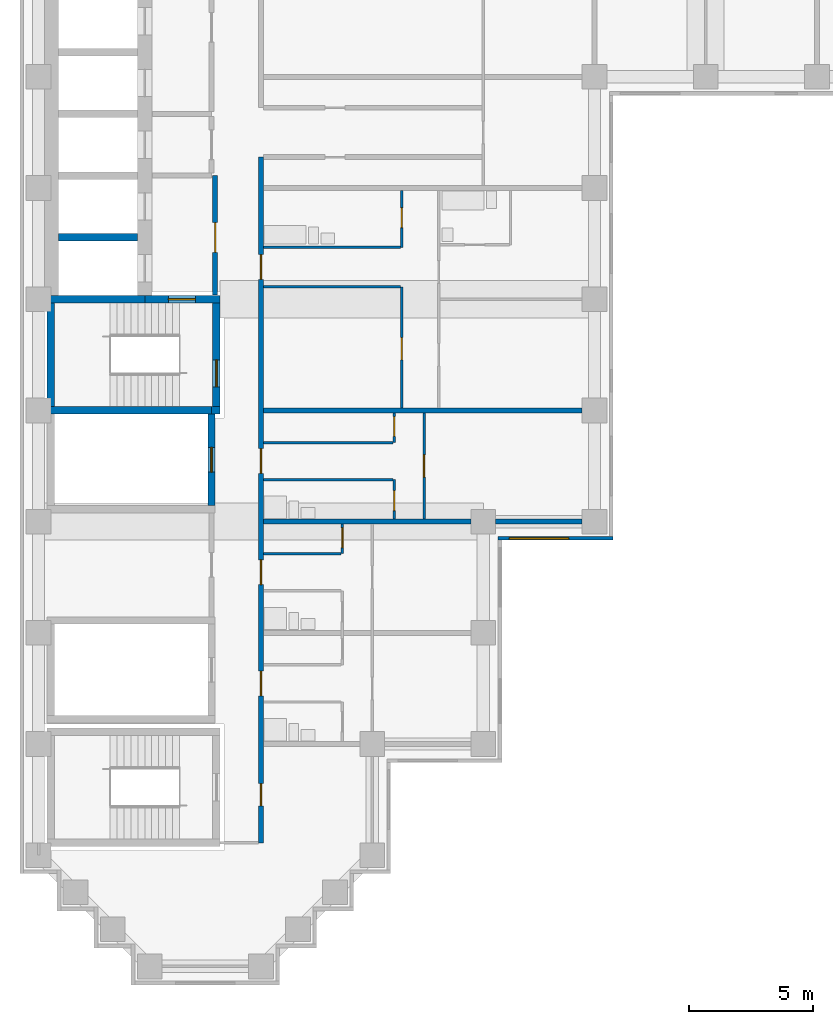
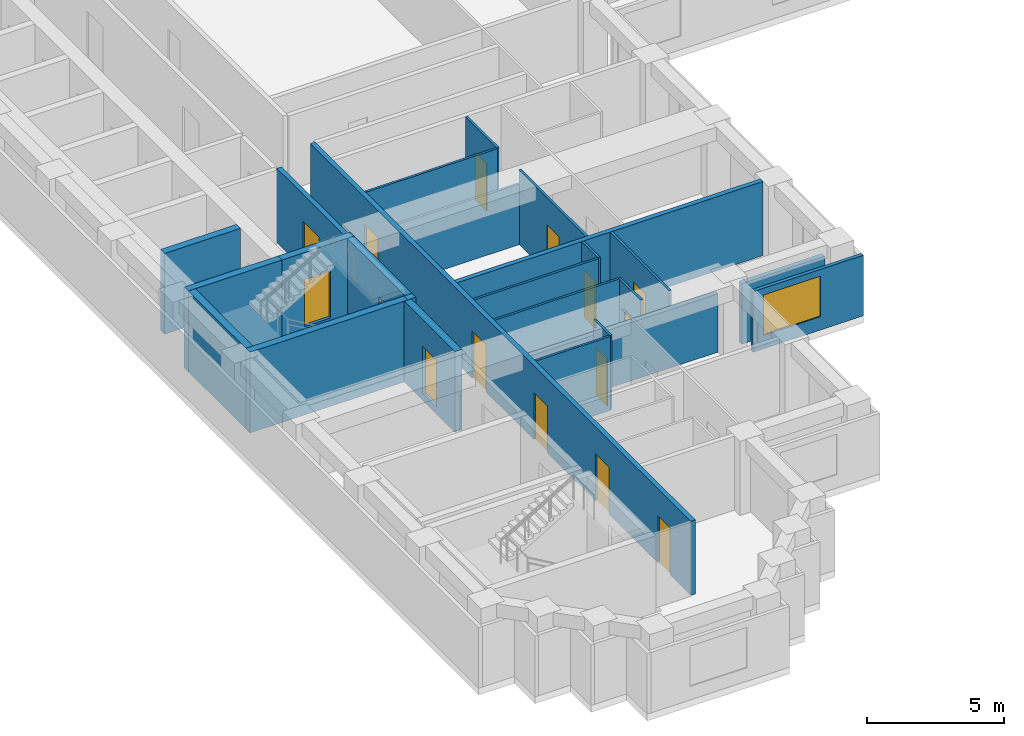
# One storey, part 3 of 12: 25 walls, 15 doors, 1 window, 16 openings.
"""IFC4 building model written with IfcOpenShell, lengths in metres."""

import ifcopenshell
import ifcopenshell.guid

model = None  # the IFC model being written
_history = None  # IfcOwnerHistory: only IFC2X3 demands one
_inside = {}  # id of a spatial element -> (the spatial element, [elements in it])
_under = {}  # id of a project, library or spatial element -> (it, [spatial elements below it])
_declared = {}  # id of a project -> (the project, [libraries it declares])
_typed = {}  # id of a type object -> (the type object, [elements of that type])
_made_of = {}  # id of a material, layer set ... -> (it, [elements and type objects made of it])


def new_model(schema):
    """Start an empty IFC model of exactly this schema.

    Asked for "IFC4X3", IfcOpenShell would pick the latest addendum, in which some entities
    have other attributes; the version numbers below select the first issue.
    IFC2X3 requires an IfcOwnerHistory on every rooted entity: one is made here for all.
    """
    global model, _history
    if schema == "IFC4X3":
        model = ifcopenshell.file(schema_version=(4, 3, 0, 0))
    else:
        model = ifcopenshell.file(schema=schema)
    _inside.clear()
    _under.clear()
    _declared.clear()
    _typed.clear()
    _made_of.clear()
    _history = None
    if model.schema == "IFC2X3":
        org = make("IfcOrganization", Name="unknown")
        user = make(
            "IfcPersonAndOrganization",
            ThePerson=make("IfcPerson", FamilyName="unknown"),
            TheOrganization=org,
        )
        app = make(
            "IfcApplication",
            ApplicationDeveloper=org,
            Version="unknown",
            ApplicationFullName="unknown",
            ApplicationIdentifier="unknown",
        )
        _history = make(
            "IfcOwnerHistory",
            OwningUser=user,
            OwningApplication=app,
            ChangeAction="ADDED",
            CreationDate=0,
        )
    return model


def make(cls, **values):
    """One entity of the class cls with the attributes given. An attribute that is None is left unset."""
    return model.create_entity(
        cls, **{name: value for name, value in values.items() if value is not None}
    )


def rooted(cls, **values):
    """An entity with a GlobalId (a new one), such as an element, a storey or a relation."""
    return make(cls, GlobalId=ifcopenshell.guid.new(), OwnerHistory=_history, **values)


def si_unit(unit_type, name, prefix=None):
    """IfcSIUnit, for example si_unit("LENGTHUNIT", "METRE", prefix="MILLI")."""
    return make("IfcSIUnit", UnitType=unit_type, Prefix=prefix, Name=name)


def assignment(units):
    """IfcUnitAssignment: the units of a project."""
    return None if units is None else make("IfcUnitAssignment", Units=units)


def point(xyz):
    """IfcCartesianPoint."""
    return None if xyz is None else make("IfcCartesianPoint", Coordinates=xyz)


def direction(xyz):
    """IfcDirection."""
    return None if xyz is None else make("IfcDirection", DirectionRatios=xyz)


def frame(location, z_axis=None, x_axis=None):
    """IfcAxis2Placement3D, a coordinate frame: its origin and axes. An axis left out is left unset."""
    return make(
        "IfcAxis2Placement3D",
        Location=point(location),
        Axis=direction(z_axis),
        RefDirection=direction(x_axis),
    )


def frame_2d(location, x_axis=None):
    """IfcAxis2Placement2D, a coordinate frame in the plane: its origin and x axis."""
    return make(
        "IfcAxis2Placement2D", Location=point(location), RefDirection=direction(x_axis)
    )


def origin():
    """The frame at (0, 0, 0) with its axes left unset."""
    return frame((0.0, 0.0, 0.0))


def place(relative_to, where):
    """IfcLocalPlacement: puts the frame where relative to a parent placement (None: the world)."""
    return make(
        "IfcLocalPlacement", PlacementRelTo=relative_to, RelativePlacement=where
    )


def context(
    kind, dimensions, precision=None, world=None, true_north=None, identifier=None
):
    """IfcGeometricRepresentationContext, for example the 3D "Model" context."""
    return make(
        "IfcGeometricRepresentationContext",
        ContextIdentifier=identifier,
        ContextType=kind,
        CoordinateSpaceDimension=dimensions,
        Precision=precision,
        WorldCoordinateSystem=world,
        TrueNorth=true_north,
    )


def subcontext(parent, identifier, kind, view, scale=None):
    """IfcGeometricRepresentationSubContext, for example "Body" below "Model"."""
    return make(
        "IfcGeometricRepresentationSubContext",
        ContextIdentifier=identifier,
        ContextType=kind,
        ParentContext=parent,
        TargetScale=scale,
        TargetView=view,
    )


def project(units=None, contexts=None):
    """IfcProject with its units and contexts."""
    return rooted(
        "IfcProject",
        Name="project",
        RepresentationContexts=contexts,
        UnitsInContext=assignment(units),
    )


def spatial(cls, under=None, at=None, **own):
    """A site, building, storey or space (cls), placed at a placement, below another one or the project."""
    s = rooted(cls, ObjectPlacement=at, **own)
    if under is not None:
        _under.setdefault(under.id(), (under, []))[1].append(s)
    return s


def profile(cls, at=None, kind="AREA", **sizes):
    """A parametric profile (cls). Its sizes go by their IFC names, for example OverallWidth=200.0."""
    return make(cls, ProfileType=kind, Position=at, **sizes)


def rectangle(**sizes):
    """IfcRectangleProfileDef."""
    return profile("IfcRectangleProfileDef", **sizes)


def extrude(swept, where, along, depth):
    """IfcExtrudedAreaSolid: the profile swept, set in the frame where, extruded along a direction by depth."""
    return make(
        "IfcExtrudedAreaSolid",
        SweptArea=swept,
        Position=where,
        ExtrudedDirection=direction(along),
        Depth=depth,
    )


def shape(context_of_items, identifier, shape_type, items):
    """IfcShapeRepresentation: the items that make up one representation, for example the "Body"."""
    return make(
        "IfcShapeRepresentation",
        ContextOfItems=context_of_items,
        RepresentationIdentifier=identifier,
        RepresentationType=shape_type,
        Items=items,
    )


def material(Name=None, Category=None):
    """IfcMaterial."""
    return make("IfcMaterial", Name=Name, Category=Category)


def layer(
    of_material, thickness, ventilated=None, Name=None, Category=None, Priority=None
):
    """IfcMaterialLayer: one layer of a wall or slab, of a material (None: an air gap)."""
    return make(
        "IfcMaterialLayer",
        Material=of_material,
        LayerThickness=thickness,
        IsVentilated=ventilated,
        Name=Name,
        Category=Category,
        Priority=Priority,
    )


def layer_set(layers, Name=None):
    """IfcMaterialLayerSet."""
    return make("IfcMaterialLayerSet", MaterialLayers=layers, LayerSetName=Name)


def made_of(thing, what):
    """Note that an element or type object is made of a material, layer set ...; save() writes the relation."""
    if what is not None:
        _made_of.setdefault(what.id(), (what, []))[1].append(thing)
    return thing


def type_object(cls, material=None, **own):
    """A type object (cls), such as IfcWallType, which elements share."""
    return made_of(rooted(cls, **own), material)


def element(
    cls,
    number,
    at=None,
    inside=None,
    cuts=None,
    type_object=None,
    material=None,
    context=None,
    identifier="Body",
    shape_type=None,
    held_by="IfcProductDefinitionShape",
    body=None,
    shapes=None,
    **own,
):
    """One element of the class cls, such as IfcWall. Its Tag is "e" and its number.

    at: its placement. inside: the storey or other place that contains it. cuts: it is an
    opening in that element (IfcRelVoidsElement). A single representation is given by context,
    identifier, shape_type and body (its items); several are given by shapes. held_by: the class
    of the entity that holds the representations. save() writes the other relations.
    """
    e = rooted(cls, Tag="e%d" % number, ObjectPlacement=at, **own)
    if body is not None:
        shapes = [shape(context, identifier, shape_type, body)]
    if shapes is not None:
        e.Representation = make(held_by, Representations=shapes)
    if inside is not None:
        _inside.setdefault(inside.id(), (inside, []))[1].append(e)
    if cuts is not None:
        rooted(
            "IfcRelVoidsElement", RelatingBuildingElement=cuts, RelatedOpeningElement=e
        )
    if type_object is not None:
        _typed.setdefault(type_object.id(), (type_object, []))[1].append(e)
    return made_of(e, material)


def fill(opening, filler):
    """IfcRelFillsElement: the door or window that sits in an opening."""
    return rooted(
        "IfcRelFillsElement",
        RelatingOpeningElement=opening,
        RelatedBuildingElement=filler,
    )


def aggregate(whole, parts):
    """IfcRelAggregates: a whole, such as a stair, and the parts it consists of."""
    return rooted("IfcRelAggregates", RelatingObject=whole, RelatedObjects=parts)


def save(model, path):
    """Write the relations noted so far, then the file.

    IfcRelAggregates (storeys below a building ...), IfcRelContainedInSpatialStructure (elements
    in a storey), IfcRelDefinesByType, IfcRelAssociatesMaterial and IfcRelDeclares: one each for
    every whole, place, type object, material and project.
    """
    for whole, parts in _under.values():
        aggregate(whole, parts)
    for where, things in _inside.values():
        rooted(
            "IfcRelContainedInSpatialStructure",
            RelatedElements=things,
            RelatingStructure=where,
        )
    for kind, things in _typed.values():
        rooted("IfcRelDefinesByType", RelatedObjects=things, RelatingType=kind)
    for what, things in _made_of.values():
        rooted("IfcRelAssociatesMaterial", RelatedObjects=things, RelatingMaterial=what)
    for by, libraries in _declared.values():
        rooted("IfcRelDeclares", RelatingContext=by, RelatedDefinitions=libraries)
    model.write(path)


model = new_model("IFC4")

# Units and contexts
model_context = context("Model", 3, precision=1e-05, world=origin(), true_north=direction((0.0, 1.0)))
body_context = subcontext(model_context, "Body", "Model", "MODEL_VIEW")
ifc_project = project(units=[si_unit("LENGTHUNIT", "METRE"), si_unit("AREAUNIT", "SQUARE_METRE"), si_unit("VOLUMEUNIT", "CUBIC_METRE"), si_unit("PLANEANGLEUNIT", "RADIAN"), si_unit("MASSUNIT", "GRAM", prefix="KILO")], contexts=[model_context])

# Site, building, storey
site_placement = place(None, origin())
site = spatial("IfcSite", under=ifc_project, at=site_placement, CompositionType="ELEMENT")
building_placement = place(site_placement, origin())
building = spatial("IfcBuilding", under=site, at=building_placement, Name="Firuza Court", CompositionType="ELEMENT")
storey_placement = place(building_placement, frame((0.0, 0.0, 148.39990234375)))
storey = spatial("IfcBuildingStorey", under=building, at=storey_placement, Name="L37", CompositionType="ELEMENT", Elevation=148.39990234375)

# Walls
ifc_material_1 = material(Name="Moisture-resistant gypsum board partition")
ifc_layer_1 = layer(ifc_material_1, 0.10009765625)
ifc_layer_set_1 = layer_set([ifc_layer_1], Name="Moisture-resistant gypsum board partition")
wall_type_1 = type_object("IfcWallType", Name="Bathroom partition 100", PredefinedType="PLUMBINGWALL", material=ifc_layer_set_1)
wall_1_placement = place(storey_placement, frame((9.10009765625, 19.699951171875, 0.0), z_axis=(0.0, 0.0, 1.0), x_axis=(1.0, 0.0, 0.0)))
element("IfcWall", 1, at=wall_1_placement, inside=storey, type_object=wall_type_1, Name="Bathroom partition 100 L37", PredefinedType="PLUMBINGWALL", context=body_context, shape_type="SweptSolid", body=[
    extrude(rectangle(XDim=5.25, YDim=0.10009765625, at=frame_2d((2.625, 0.0))), origin(), (0.0, 0.0, 1.0), 3.300048828125),
])
wall_2_placement = place(storey_placement, frame((9.10009765625, 29.10009765625, 0.0), z_axis=(0.0, 0.0, 1.0), x_axis=(1.0, 0.0, 0.0)))
element("IfcWall", 2, at=wall_2_placement, inside=storey, type_object=wall_type_1, Name="Bathroom partition 100 L37", PredefinedType="PLUMBINGWALL", context=body_context, shape_type="SweptSolid", body=[
    extrude(rectangle(XDim=5.5498046875, YDim=0.10009765625, at=frame_2d((2.77490234375, 0.0))), origin(), (0.0, 0.0, 1.0), 3.300048828125),
])
ifc_material_2 = material(Name="Concrete C60/75", Category="concrete")
ifc_layer_2 = layer(ifc_material_2, 0.300048828125)
ifc_layer_set_2 = layer_set([ifc_layer_2], Name="Concrete C60/75")
wall_type_2 = type_object("IfcWallType", Name="Core wall 300 C60/75", PredefinedType="SHEAR", material=ifc_layer_set_2)
wall_3_placement = place(storey_placement, frame((0.35009765625, 22.5, -0.2998046875), z_axis=(0.0, 0.0, 1.0), x_axis=(1.0, 0.0, 0.0)))
element("IfcWall", 3, at=wall_3_placement, inside=storey, type_object=wall_type_2, Name="Core wall riser L37", PredefinedType="SHEAR", context=body_context, shape_type="SweptSolid", body=[
    extrude(rectangle(XDim=6.64990234375, YDim=0.300048828125, at=frame_2d((3.324951171875, 0.0))), origin(), (0.0, 0.0, 1.0), 3.599853515625),
])
wall_4_placement = place(storey_placement, frame((0.35009765625, 27.0, -0.2998046875), z_axis=(0.0, 0.0, 1.0), x_axis=(1.0, 0.0, 0.0)))
element("IfcWall", 4, at=wall_4_placement, inside=storey, type_object=wall_type_2, Name="Core wall lift shaft L37", PredefinedType="SHEAR", context=body_context, shape_type="SweptSolid", body=[
    extrude(rectangle(XDim=3.949951171875, YDim=0.300048828125, at=frame_2d((1.97509765625, 0.0))), origin(), (0.0, 0.0, 1.0), 3.599853515625),
])
wall_5_placement = place(storey_placement, frame((0.5, 22.64990234375, -0.2998046875), z_axis=(0.0, 0.0, 1.0), x_axis=(0.0, 1.0, 0.0)))
element("IfcWall", 5, at=wall_5_placement, inside=storey, type_object=wall_type_2, Name="Core wall stair L37", PredefinedType="SHEAR", context=body_context, shape_type="SweptSolid", body=[
    extrude(rectangle(XDim=4.2001953125, YDim=0.300048828125, at=frame_2d((2.10009765625, 0.0))), origin(), (0.0, 0.0, 1.0), 3.599853515625),
])
wall_6_placement = place(storey_placement, frame((0.800048828125, 29.5, -0.2998046875), z_axis=(0.0, 0.0, 1.0), x_axis=(1.0, 0.0, 0.0)))
element("IfcWall", 6, at=wall_6_placement, inside=storey, type_object=wall_type_2, Name="Core wall lift shaft L37", PredefinedType="SHEAR", context=body_context, shape_type="SweptSolid", body=[
    extrude(rectangle(XDim=3.199951171875, YDim=0.300048828125, at=frame_2d((1.60009765625, 0.0))), origin(), (0.0, 0.0, 1.0), 3.599853515625),
])

# Wall, opening, door
wall_7_placement = place(storey_placement, frame((4.300048828125, 27.0, -0.2998046875), z_axis=(0.0, 0.0, 1.0), x_axis=(1.0, 0.0, 0.0)))
wall_7 = element("IfcWall", 7, at=wall_7_placement, inside=storey, type_object=wall_type_2, Name="Core wall stair L37", PredefinedType="SHEAR", context=body_context, shape_type="SweptSolid", body=[
    extrude(rectangle(XDim=3.050048828125, YDim=0.300048828125, at=frame_2d((1.52490234375, 0.0))), origin(), (0.0, 0.0, 1.0), 3.599853515625),
])
opening_1_placement = place(wall_7_placement, frame((0.949951171875, 0.0, 0.300048828125)))
opening_1 = element("IfcOpeningElement", 8, at=opening_1_placement, cuts=wall_7, Name="Opening D37013", PredefinedType="OPENING", context=body_context, shape_type="SweptSolid", body=[
    extrude(rectangle(XDim=1.10009765625, YDim=2.10009765625, at=frame_2d((0.550048828125, 1.050048828125))), frame((0.0, 0.162109375, 0.0), z_axis=(0.0, -1.0, 0.0), x_axis=(1.0, 0.0, 0.0)), (0.0, 0.0, 1.0), 0.323974609375),
])
ifc_material_3 = material(Name="Timber door leaf in hardwood frame", Category="wood")
door_type_1 = type_object("IfcDoorType", Name="Stair door 1100", OperationType="SINGLE_SWING_LEFT", PredefinedType="DOOR", material=ifc_material_3)
door_1_placement = place(opening_1_placement, frame((1.10009765625, 0.0, 0.0), z_axis=(0.0, 0.0, 1.0), x_axis=(-1.0, 0.0, 0.0)))
door_1 = element("IfcDoor", 9, at=door_1_placement, inside=storey, type_object=door_type_1, Name="Fire-fighting lobby door", OperationType="SINGLE_SWING_LEFT", OverallHeight=2.10009765625, OverallWidth=1.10009765625, PredefinedType="DOOR", context=body_context, shape_type="SweptSolid", body=[
    extrude(rectangle(XDim=1.10009765625, YDim=2.10009765625, at=frame_2d((0.550048828125, 1.050048828125))), frame((0.0, 0.02490234375, 0.0), z_axis=(0.0, -1.0, 0.0), x_axis=(1.0, 0.0, 0.0)), (0.0, 0.0, 1.0), 0.050048828125),
])
fill(opening_1, door_1)

wall_8_placement = place(storey_placement, frame((7.0, 18.64990234375, -0.2998046875), z_axis=(0.0, 0.0, 1.0), x_axis=(0.0, 1.0, 0.0)))
wall_8 = element("IfcWall", 10, at=wall_8_placement, inside=storey, type_object=wall_type_2, Name="Core wall riser L37", PredefinedType="SHEAR", context=body_context, shape_type="SweptSolid", body=[
    extrude(rectangle(XDim=3.7001953125, YDim=0.300048828125, at=frame_2d((1.85009765625, 0.0))), origin(), (0.0, 0.0, 1.0), 3.599853515625),
])
opening_2_placement = place(wall_8_placement, frame((1.35009765625, 0.0, 0.300048828125)))
opening_2 = element("IfcOpeningElement", 11, at=opening_2_placement, cuts=wall_8, Name="Opening D37009", PredefinedType="OPENING", context=body_context, shape_type="SweptSolid", body=[
    extrude(rectangle(XDim=1.0, YDim=2.10009765625, at=frame_2d((0.5, 1.050048828125))), frame((0.0, 0.162109375, 0.0), z_axis=(0.0, -1.0, 0.0), x_axis=(1.0, 0.0, 0.0)), (0.0, 0.0, 1.0), 0.323974609375),
])
ifc_material_4 = material(Name="Timber door leaf in hardwood frame", Category="wood")
door_type_2 = type_object("IfcDoorType", Name="Riser door 1000", OperationType="SINGLE_SWING_LEFT", PredefinedType="DOOR", material=ifc_material_4)
door_2_placement = place(opening_2_placement, origin())
door_2 = element("IfcDoor", 12, at=door_2_placement, inside=storey, type_object=door_type_2, Name="Riser door R1", OperationType="SINGLE_SWING_LEFT", OverallHeight=2.10009765625, OverallWidth=1.0, PredefinedType="DOOR", context=body_context, shape_type="SweptSolid", body=[
    extrude(rectangle(XDim=1.0, YDim=2.10009765625, at=frame_2d((0.5, 1.050048828125))), frame((0.0, 0.02490234375, 0.0), z_axis=(0.0, -1.0, 0.0), x_axis=(1.0, 0.0, 0.0)), (0.0, 0.0, 1.0), 0.050048828125),
])
fill(opening_2, door_2)

# Wall
wall_9_placement = place(storey_placement, frame((7.0, 22.5, -0.2998046875), z_axis=(0.0, 0.0, 1.0), x_axis=(1.0, 0.0, 0.0)))
element("IfcWall", 13, at=wall_9_placement, inside=storey, type_object=wall_type_2, Name="Core wall stair L37", PredefinedType="SHEAR", context=body_context, shape_type="SweptSolid", body=[
    extrude(rectangle(XDim=0.35009765625, YDim=0.300048828125, at=frame_2d((0.175048828125, 0.0))), origin(), (0.0, 0.0, 1.0), 3.599853515625),
])

# Wall, opening, door
wall_10_placement = place(storey_placement, frame((7.199951171875, 22.64990234375, -0.2998046875), z_axis=(0.0, 0.0, 1.0), x_axis=(0.0, 1.0, 0.0)))
wall_10 = element("IfcWall", 14, at=wall_10_placement, inside=storey, type_object=wall_type_2, Name="Core wall stair L37", PredefinedType="SHEAR", context=body_context, shape_type="SweptSolid", body=[
    extrude(rectangle(XDim=4.2001953125, YDim=0.300048828125, at=frame_2d((2.10009765625, 0.0))), origin(), (0.0, 0.0, 1.0), 3.599853515625),
])
opening_3_placement = place(wall_10_placement, frame((0.800048828125, 0.0, 0.300048828125)))
opening_3 = element("IfcOpeningElement", 15, at=opening_3_placement, cuts=wall_10, Name="Opening D37014", PredefinedType="OPENING", context=body_context, shape_type="SweptSolid", body=[
    extrude(rectangle(XDim=1.10009765625, YDim=2.10009765625, at=frame_2d((0.550048828125, 1.050048828125))), frame((0.0, 0.162109375, 0.0), z_axis=(0.0, -1.0, 0.0), x_axis=(1.0, 0.0, 0.0)), (0.0, 0.0, 1.0), 0.323974609375),
])
door_3_placement = place(opening_3_placement, origin())
door_3 = element("IfcDoor", 16, at=door_3_placement, inside=storey, type_object=door_type_1, Name="Stair door S2", OperationType="SINGLE_SWING_LEFT", OverallHeight=2.10009765625, OverallWidth=1.10009765625, PredefinedType="DOOR", context=body_context, shape_type="SweptSolid", body=[
    extrude(rectangle(XDim=1.10009765625, YDim=2.10009765625, at=frame_2d((0.550048828125, 1.050048828125))), frame((0.0, 0.02490234375, 0.0), z_axis=(0.0, -1.0, 0.0), x_axis=(1.0, 0.0, 0.0)), (0.0, 0.0, 1.0), 0.050048828125),
])
fill(opening_3, door_3)

# Wall, openings, doors
ifc_material_5 = material(Name="Blockwork, plastered both sides", Category="masonry")
ifc_layer_3 = layer(ifc_material_5, 0.199951171875)
ifc_layer_set_3 = layer_set([ifc_layer_3], Name="Blockwork, plastered both sides")
wall_type_3 = type_object("IfcWallType", Name="Corridor wall 200", PredefinedType="PARTITIONING", material=ifc_layer_set_3)
wall_11_placement = place(storey_placement, frame((9.0, 5.0, 0.0), z_axis=(0.0, 0.0, 1.0), x_axis=(0.0, 1.0, 0.0)))
wall_11 = element("IfcWall", 17, at=wall_11_placement, inside=storey, type_object=wall_type_3, Name="Corridor wall 200 L37", PredefinedType="PARTITIONING", context=body_context, shape_type="SweptSolid", body=[
    extrude(rectangle(XDim=27.75, YDim=0.199951171875, at=frame_2d((13.875, 0.0))), origin(), (0.0, 0.0, 1.0), 3.300048828125),
])
opening_4_placement = place(wall_11_placement, frame((22.800048828125, 0.0, 0.0)))
opening_4 = element("IfcOpeningElement", 18, at=opening_4_placement, cuts=wall_11, Name="Opening D37018", PredefinedType="OPENING", context=body_context, shape_type="SweptSolid", body=[
    extrude(rectangle(XDim=1.0, YDim=2.10009765625, at=frame_2d((0.5, 1.050048828125))), frame((0.0, 0.11181640625, 0.0), z_axis=(0.0, -1.0, 0.0), x_axis=(1.0, 0.0, 0.0)), (0.0, 0.0, 1.0), 0.223876953125),
])
opening_5_placement = place(wall_11_placement, frame((14.949951171875, 0.0, 0.0)))
opening_5 = element("IfcOpeningElement", 19, at=opening_5_placement, cuts=wall_11, Name="Opening D37019", PredefinedType="OPENING", context=body_context, shape_type="SweptSolid", body=[
    extrude(rectangle(XDim=1.0, YDim=2.10009765625, at=frame_2d((0.5, 1.050048828125))), frame((0.0, 0.11181640625, 0.0), z_axis=(0.0, -1.0, 0.0), x_axis=(1.0, 0.0, 0.0)), (0.0, 0.0, 1.0), 0.223876953125),
])
opening_6_placement = place(wall_11_placement, frame((10.449951171875, 0.0, 0.0)))
opening_6 = element("IfcOpeningElement", 20, at=opening_6_placement, cuts=wall_11, Name="Opening D37020", PredefinedType="OPENING", context=body_context, shape_type="SweptSolid", body=[
    extrude(rectangle(XDim=1.0, YDim=2.10009765625, at=frame_2d((0.5, 1.050048828125))), frame((0.0, 0.11181640625, 0.0), z_axis=(0.0, -1.0, 0.0), x_axis=(1.0, 0.0, 0.0)), (0.0, 0.0, 1.0), 0.223876953125),
])
opening_7_placement = place(wall_11_placement, frame((5.949951171875, 0.0, 0.0)))
opening_7 = element("IfcOpeningElement", 21, at=opening_7_placement, cuts=wall_11, Name="Opening D37021", PredefinedType="OPENING", context=body_context, shape_type="SweptSolid", body=[
    extrude(rectangle(XDim=1.0, YDim=2.10009765625, at=frame_2d((0.5, 1.050048828125))), frame((0.0, 0.11181640625, 0.0), z_axis=(0.0, -1.0, 0.0), x_axis=(1.0, 0.0, 0.0)), (0.0, 0.0, 1.0), 0.223876953125),
])
opening_8_placement = place(wall_11_placement, frame((1.5, 0.0, 0.0)))
opening_8 = element("IfcOpeningElement", 22, at=opening_8_placement, cuts=wall_11, Name="Opening D37022", PredefinedType="OPENING", context=body_context, shape_type="SweptSolid", body=[
    extrude(rectangle(XDim=0.89990234375, YDim=2.10009765625, at=frame_2d((0.449951171875, 1.050048828125))), frame((0.0, 0.11181640625, 0.0), z_axis=(0.0, -1.0, 0.0), x_axis=(1.0, 0.0, 0.0)), (0.0, 0.0, 1.0), 0.223876953125),
])
ifc_material_6 = material(Name="Timber door leaf in hardwood frame", Category="wood")
door_type_3 = type_object("IfcDoorType", Name="Flat entrance door 1000", OperationType="SINGLE_SWING_LEFT", PredefinedType="DOOR", material=ifc_material_6)
door_4_placement = place(opening_4_placement, origin())
door_4 = element("IfcDoor", 23, at=door_4_placement, inside=storey, type_object=door_type_3, Name="Flat entrance door", OperationType="SINGLE_SWING_LEFT", OverallHeight=2.10009765625, OverallWidth=1.0, PredefinedType="DOOR", context=body_context, shape_type="SweptSolid", body=[
    extrude(rectangle(XDim=1.0, YDim=2.10009765625, at=frame_2d((0.5, 1.050048828125))), frame((0.0, 0.02490234375, 0.0), z_axis=(0.0, -1.0, 0.0), x_axis=(1.0, 0.0, 0.0)), (0.0, 0.0, 1.0), 0.050048828125),
])
fill(opening_4, door_4)
door_5_placement = place(opening_5_placement, origin())
door_5 = element("IfcDoor", 24, at=door_5_placement, inside=storey, type_object=door_type_3, Name="Flat entrance door", OperationType="SINGLE_SWING_LEFT", OverallHeight=2.10009765625, OverallWidth=1.0, PredefinedType="DOOR", context=body_context, shape_type="SweptSolid", body=[
    extrude(rectangle(XDim=1.0, YDim=2.10009765625, at=frame_2d((0.5, 1.050048828125))), frame((0.0, 0.02490234375, 0.0), z_axis=(0.0, -1.0, 0.0), x_axis=(1.0, 0.0, 0.0)), (0.0, 0.0, 1.0), 0.050048828125),
])
fill(opening_5, door_5)
door_6_placement = place(opening_6_placement, origin())
door_6 = element("IfcDoor", 25, at=door_6_placement, inside=storey, type_object=door_type_3, Name="Flat entrance door", OperationType="SINGLE_SWING_LEFT", OverallHeight=2.10009765625, OverallWidth=1.0, PredefinedType="DOOR", context=body_context, shape_type="SweptSolid", body=[
    extrude(rectangle(XDim=1.0, YDim=2.10009765625, at=frame_2d((0.5, 1.050048828125))), frame((0.0, 0.02490234375, 0.0), z_axis=(0.0, -1.0, 0.0), x_axis=(1.0, 0.0, 0.0)), (0.0, 0.0, 1.0), 0.050048828125),
])
fill(opening_6, door_6)
door_7_placement = place(opening_7_placement, origin())
door_7 = element("IfcDoor", 26, at=door_7_placement, inside=storey, type_object=door_type_3, Name="Flat entrance door", OperationType="SINGLE_SWING_LEFT", OverallHeight=2.10009765625, OverallWidth=1.0, PredefinedType="DOOR", context=body_context, shape_type="SweptSolid", body=[
    extrude(rectangle(XDim=1.0, YDim=2.10009765625, at=frame_2d((0.5, 1.050048828125))), frame((0.0, 0.02490234375, 0.0), z_axis=(0.0, -1.0, 0.0), x_axis=(1.0, 0.0, 0.0)), (0.0, 0.0, 1.0), 0.050048828125),
])
fill(opening_7, door_7)
ifc_material_7 = material(Name="Timber door leaf in hardwood frame", Category="wood")
door_type_4 = type_object("IfcDoorType", Name="Room door 900 EI 30", OperationType="SINGLE_SWING_LEFT", PredefinedType="DOOR", material=ifc_material_7)
door_8_placement = place(opening_8_placement, frame((0.89990234375, 0.0, 0.0), z_axis=(0.0, 0.0, 1.0), x_axis=(-1.0, 0.0, 0.0)))
door_8 = element("IfcDoor", 27, at=door_8_placement, inside=storey, type_object=door_type_4, Name="Games room door", OperationType="SINGLE_SWING_LEFT", OverallHeight=2.10009765625, OverallWidth=0.89990234375, PredefinedType="DOOR", context=body_context, shape_type="SweptSolid", body=[
    extrude(rectangle(XDim=0.89990234375, YDim=2.10009765625, at=frame_2d((0.449951171875, 1.050048828125))), frame((0.0, 0.02490234375, 0.0), z_axis=(0.0, -1.0, 0.0), x_axis=(1.0, 0.0, 0.0)), (0.0, 0.0, 1.0), 0.050048828125),
])
fill(opening_8, door_8)

# Wall
ifc_material_8 = material(Name="Timber stud partition, plasterboard both sides", Category="wood")
ifc_layer_4 = layer(ifc_material_8, 0.10009765625)
ifc_layer_set_4 = layer_set([ifc_layer_4], Name="Timber stud partition, plasterboard both sides")
wall_type_4 = type_object("IfcWallType", Name="Partition wall 100", PredefinedType="PARTITIONING", material=ifc_layer_set_4)
wall_12_placement = place(storey_placement, frame((9.10009765625, 16.699951171875, 0.0), z_axis=(0.0, 0.0, 1.0), x_axis=(1.0, 0.0, 0.0)))
element("IfcWall", 28, at=wall_12_placement, inside=storey, type_object=wall_type_4, Name="Partition wall 100 L37", PredefinedType="PARTITIONING", context=body_context, shape_type="SweptSolid", body=[
    extrude(rectangle(XDim=3.14990234375, YDim=0.10009765625, at=frame_2d((1.574951171875, 0.0))), origin(), (0.0, 0.0, 1.0), 3.300048828125),
])

# Wall, opening, door
wall_13_placement = place(storey_placement, frame((12.300048828125, 16.699951171875, 0.0), z_axis=(0.0, 0.0, 1.0), x_axis=(0.0, 1.0, 0.0)))
wall_13 = element("IfcWall", 29, at=wall_13_placement, inside=storey, type_object=wall_type_4, Name="Partition wall 100 L37", PredefinedType="PARTITIONING", context=body_context, shape_type="SweptSolid", body=[
    extrude(rectangle(XDim=1.199951171875, YDim=0.10009765625, at=frame_2d((0.60009765625, 0.0))), origin(), (0.0, 0.0, 1.0), 3.300048828125),
])
opening_9_placement = place(wall_13_placement, frame((0.25, 0.0, 0.0)))
opening_9 = element("IfcOpeningElement", 30, at=opening_9_placement, cuts=wall_13, Name="Opening D37029", PredefinedType="OPENING", context=body_context, shape_type="SweptSolid", body=[
    extrude(rectangle(XDim=0.800048828125, YDim=2.10009765625, at=frame_2d((0.39990234375, 1.050048828125))), frame((0.0, 0.06201171875, 0.0), z_axis=(0.0, -1.0, 0.0), x_axis=(1.0, 0.0, 0.0)), (0.0, 0.0, 1.0), 0.1240234375),
])
ifc_material_9 = material(Name="Timber door leaf in hardwood frame", Category="wood")
door_type_5 = type_object("IfcDoorType", Name="Room door 800", OperationType="SINGLE_SWING_LEFT", PredefinedType="DOOR", material=ifc_material_9)
door_9_placement = place(opening_9_placement, origin())
door_9 = element("IfcDoor", 31, at=door_9_placement, inside=storey, type_object=door_type_5, Name="Kitchen door", OperationType="SINGLE_SWING_LEFT", OverallHeight=2.10009765625, OverallWidth=0.800048828125, PredefinedType="DOOR", context=body_context, shape_type="SweptSolid", body=[
    extrude(rectangle(XDim=0.800048828125, YDim=2.10009765625, at=frame_2d((0.39990234375, 1.050048828125))), frame((0.0, 0.02490234375, 0.0), z_axis=(0.0, -1.0, 0.0), x_axis=(1.0, 0.0, 0.0)), (0.0, 0.0, 1.0), 0.050048828125),
])
fill(opening_9, door_9)

wall_14_placement = place(storey_placement, frame((14.39990234375, 18.10009765625, 0.0), z_axis=(0.0, 0.0, 1.0), x_axis=(0.0, 1.0, 0.0)))
wall_14 = element("IfcWall", 32, at=wall_14_placement, inside=storey, type_object=wall_type_4, Name="Partition wall 100 L37", PredefinedType="PARTITIONING", context=body_context, shape_type="SweptSolid", body=[
    extrude(rectangle(XDim=1.599853515625, YDim=0.10009765625, at=frame_2d((0.7998046875, 0.0))), origin(), (0.0, 0.0, 1.0), 3.300048828125),
])
opening_10_placement = place(wall_14_placement, frame((0.35009765625, 0.0, 0.0)))
opening_10 = element("IfcOpeningElement", 33, at=opening_10_placement, cuts=wall_14, Name="Opening D37030", PredefinedType="OPENING", context=body_context, shape_type="SweptSolid", body=[
    extrude(rectangle(XDim=0.800048828125, YDim=2.10009765625, at=frame_2d((0.39990234375, 1.050048828125))), frame((0.0, 0.06201171875, 0.0), z_axis=(0.0, -1.0, 0.0), x_axis=(1.0, 0.0, 0.0)), (0.0, 0.0, 1.0), 0.1240234375),
])
ifc_material_10 = material(Name="Timber door leaf in hardwood frame", Category="wood")
door_type_6 = type_object("IfcDoorType", Name="Bathroom door 800", OperationType="SINGLE_SWING_LEFT", PredefinedType="DOOR", material=ifc_material_10)
door_10_placement = place(opening_10_placement, origin())
door_10 = element("IfcDoor", 34, at=door_10_placement, inside=storey, type_object=door_type_6, Name="Bathroom door", OperationType="SINGLE_SWING_LEFT", OverallHeight=2.10009765625, OverallWidth=0.800048828125, PredefinedType="DOOR", context=body_context, shape_type="SweptSolid", body=[
    extrude(rectangle(XDim=0.800048828125, YDim=2.10009765625, at=frame_2d((0.39990234375, 1.050048828125))), frame((0.0, 0.02490234375, 0.0), z_axis=(0.0, -1.0, 0.0), x_axis=(1.0, 0.0, 0.0)), (0.0, 0.0, 1.0), 0.050048828125),
])
fill(opening_10, door_10)

wall_15_placement = place(storey_placement, frame((15.60009765625, 18.10009765625, 0.0), z_axis=(0.0, 0.0, 1.0), x_axis=(0.0, 1.0, 0.0)))
wall_15 = element("IfcWall", 35, at=wall_15_placement, inside=storey, type_object=wall_type_4, Name="Partition wall 100 L37", PredefinedType="PARTITIONING", context=body_context, shape_type="SweptSolid", body=[
    extrude(rectangle(XDim=4.2998046875, YDim=0.10009765625, at=frame_2d((2.14990234375, 0.0))), origin(), (0.0, 0.0, 1.0), 3.300048828125),
])
opening_11_placement = place(wall_15_placement, frame((1.699951171875, 0.0, 0.0)))
opening_11 = element("IfcOpeningElement", 36, at=opening_11_placement, cuts=wall_15, Name="Opening D37031", PredefinedType="OPENING", context=body_context, shape_type="SweptSolid", body=[
    extrude(rectangle(XDim=0.89990234375, YDim=2.10009765625, at=frame_2d((0.449951171875, 1.050048828125))), frame((0.0, 0.06201171875, 0.0), z_axis=(0.0, -1.0, 0.0), x_axis=(1.0, 0.0, 0.0)), (0.0, 0.0, 1.0), 0.1240234375),
])
ifc_material_11 = material(Name="Timber door leaf in hardwood frame", Category="wood")
door_type_7 = type_object("IfcDoorType", Name="Room door 900", OperationType="SINGLE_SWING_LEFT", PredefinedType="DOOR", material=ifc_material_11)
door_11_placement = place(opening_11_placement, frame((0.89990234375, 0.0, 0.0), z_axis=(0.0, 0.0, 1.0), x_axis=(-1.0, 0.0, 0.0)))
door_11 = element("IfcDoor", 37, at=door_11_placement, inside=storey, type_object=door_type_7, Name="Studio room door", OperationType="SINGLE_SWING_RIGHT", OverallHeight=2.10009765625, OverallWidth=0.89990234375, PredefinedType="DOOR", context=body_context, shape_type="SweptSolid", body=[
    extrude(rectangle(XDim=0.89990234375, YDim=2.10009765625, at=frame_2d((0.449951171875, 1.050048828125))), frame((0.0, 0.02490234375, 0.0), z_axis=(0.0, -1.0, 0.0), x_axis=(1.0, 0.0, 0.0)), (0.0, 0.0, 1.0), 0.050048828125),
])
fill(opening_11, door_11)

# Wall
wall_16_placement = place(storey_placement, frame((9.10009765625, 21.199951171875, 0.0), z_axis=(0.0, 0.0, 1.0), x_axis=(1.0, 0.0, 0.0)))
element("IfcWall", 38, at=wall_16_placement, inside=storey, type_object=wall_type_4, Name="Partition wall 100 L37", PredefinedType="PARTITIONING", context=body_context, shape_type="SweptSolid", body=[
    extrude(rectangle(XDim=5.25, YDim=0.10009765625, at=frame_2d((2.625, 0.0))), origin(), (0.0, 0.0, 1.0), 3.300048828125),
])

# Wall, opening, door
wall_17_placement = place(storey_placement, frame((14.39990234375, 21.199951171875, 0.0), z_axis=(0.0, 0.0, 1.0), x_axis=(0.0, 1.0, 0.0)))
wall_17 = element("IfcWall", 39, at=wall_17_placement, inside=storey, type_object=wall_type_4, Name="Partition wall 100 L37", PredefinedType="PARTITIONING", context=body_context, shape_type="SweptSolid", body=[
    extrude(rectangle(XDim=1.199951171875, YDim=0.10009765625, at=frame_2d((0.60009765625, 0.0))), origin(), (0.0, 0.0, 1.0), 3.300048828125),
])
opening_12_placement = place(wall_17_placement, frame((0.25, 0.0, 0.0)))
opening_12 = element("IfcOpeningElement", 40, at=opening_12_placement, cuts=wall_17, Name="Opening D37032", PredefinedType="OPENING", context=body_context, shape_type="SweptSolid", body=[
    extrude(rectangle(XDim=0.800048828125, YDim=2.10009765625, at=frame_2d((0.39990234375, 1.050048828125))), frame((0.0, 0.06201171875, 0.0), z_axis=(0.0, -1.0, 0.0), x_axis=(1.0, 0.0, 0.0)), (0.0, 0.0, 1.0), 0.1240234375),
])
door_12_placement = place(opening_12_placement, origin())
door_12 = element("IfcDoor", 41, at=door_12_placement, inside=storey, type_object=door_type_5, Name="Kitchen door", OperationType="SINGLE_SWING_LEFT", OverallHeight=2.10009765625, OverallWidth=0.800048828125, PredefinedType="DOOR", context=body_context, shape_type="SweptSolid", body=[
    extrude(rectangle(XDim=0.800048828125, YDim=2.10009765625, at=frame_2d((0.39990234375, 1.050048828125))), frame((0.0, 0.02490234375, 0.0), z_axis=(0.0, -1.0, 0.0), x_axis=(1.0, 0.0, 0.0)), (0.0, 0.0, 1.0), 0.050048828125),
])
fill(opening_12, door_12)

wall_18_placement = place(storey_placement, frame((14.699951171875, 22.60009765625, 0.0), z_axis=(0.0, 0.0, 1.0), x_axis=(0.0, 1.0, 0.0)))
wall_18 = element("IfcWall", 42, at=wall_18_placement, inside=storey, type_object=wall_type_4, Name="Partition wall 100 L37", PredefinedType="PARTITIONING", context=body_context, shape_type="SweptSolid", body=[
    extrude(rectangle(XDim=4.89990234375, YDim=0.10009765625, at=frame_2d((2.449951171875, 0.0))), origin(), (0.0, 0.0, 1.0), 3.300048828125),
])
opening_13_placement = place(wall_18_placement, frame((1.949951171875, 0.0, 0.0)))
opening_13 = element("IfcOpeningElement", 43, at=opening_13_placement, cuts=wall_18, Name="Opening D37033", PredefinedType="OPENING", context=body_context, shape_type="SweptSolid", body=[
    extrude(rectangle(XDim=0.89990234375, YDim=2.10009765625, at=frame_2d((0.449951171875, 1.050048828125))), frame((0.0, 0.06201171875, 0.0), z_axis=(0.0, -1.0, 0.0), x_axis=(1.0, 0.0, 0.0)), (0.0, 0.0, 1.0), 0.1240234375),
])
door_13_placement = place(opening_13_placement, origin())
door_13 = element("IfcDoor", 44, at=door_13_placement, inside=storey, type_object=door_type_7, Name="Kitchen door", OperationType="SINGLE_SWING_LEFT", OverallHeight=2.10009765625, OverallWidth=0.89990234375, PredefinedType="DOOR", context=body_context, shape_type="SweptSolid", body=[
    extrude(rectangle(XDim=0.89990234375, YDim=2.10009765625, at=frame_2d((0.449951171875, 1.050048828125))), frame((0.0, 0.02490234375, 0.0), z_axis=(0.0, -1.0, 0.0), x_axis=(1.0, 0.0, 0.0)), (0.0, 0.0, 1.0), 0.050048828125),
])
fill(opening_13, door_13)

# Wall
wall_19_placement = place(storey_placement, frame((9.10009765625, 27.5, 0.0), z_axis=(0.0, 0.0, 1.0), x_axis=(1.0, 0.0, 0.0)))
element("IfcWall", 45, at=wall_19_placement, inside=storey, type_object=wall_type_4, Name="Partition wall 100 L37", PredefinedType="PARTITIONING", context=body_context, shape_type="SweptSolid", body=[
    extrude(rectangle(XDim=5.5498046875, YDim=0.10009765625, at=frame_2d((2.77490234375, 0.0))), origin(), (0.0, 0.0, 1.0), 2.7001953125),
])

# Wall, opening, door
wall_20_placement = place(storey_placement, frame((14.699951171875, 29.10009765625, 0.0), z_axis=(0.0, 0.0, 1.0), x_axis=(0.0, 1.0, 0.0)))
wall_20 = element("IfcWall", 46, at=wall_20_placement, inside=storey, type_object=wall_type_4, Name="Partition wall 100 L37", PredefinedType="PARTITIONING", context=body_context, shape_type="SweptSolid", body=[
    extrude(rectangle(XDim=2.2998046875, YDim=0.10009765625, at=frame_2d((1.14990234375, 0.0))), origin(), (0.0, 0.0, 1.0), 3.300048828125),
])
opening_14_placement = place(wall_20_placement, frame((0.800048828125, 0.0, 0.0)))
opening_14 = element("IfcOpeningElement", 47, at=opening_14_placement, cuts=wall_20, Name="Opening D37036", PredefinedType="OPENING", context=body_context, shape_type="SweptSolid", body=[
    extrude(rectangle(XDim=0.800048828125, YDim=2.10009765625, at=frame_2d((0.39990234375, 1.050048828125))), frame((0.0, 0.06201171875, 0.0), z_axis=(0.0, -1.0, 0.0), x_axis=(1.0, 0.0, 0.0)), (0.0, 0.0, 1.0), 0.1240234375),
])
door_14_placement = place(opening_14_placement, origin())
door_14 = element("IfcDoor", 48, at=door_14_placement, inside=storey, type_object=door_type_6, Name="Bathroom door", OperationType="SINGLE_SWING_LEFT", OverallHeight=2.10009765625, OverallWidth=0.800048828125, PredefinedType="DOOR", context=body_context, shape_type="SweptSolid", body=[
    extrude(rectangle(XDim=0.800048828125, YDim=2.10009765625, at=frame_2d((0.39990234375, 1.050048828125))), frame((0.0, 0.02490234375, 0.0), z_axis=(0.0, -1.0, 0.0), x_axis=(1.0, 0.0, 0.0)), (0.0, 0.0, 1.0), 0.050048828125),
])
fill(opening_14, door_14)

# Walls
ifc_layer_5 = layer(ifc_material_5, 0.199951171875)
ifc_layer_set_5 = layer_set([ifc_layer_5], Name="Blockwork, plastered both sides")
wall_type_5 = type_object("IfcWallType", Name="Party wall 200", PredefinedType="PARTITIONING", material=ifc_layer_set_5)
wall_21_placement = place(storey_placement, frame((9.10009765625, 18.0, 0.0), z_axis=(0.0, 0.0, 1.0), x_axis=(1.0, 0.0, 0.0)))
element("IfcWall", 49, at=wall_21_placement, inside=storey, type_object=wall_type_5, Name="Party wall 200 L37", PredefinedType="PARTITIONING", context=body_context, shape_type="SweptSolid", body=[
    extrude(rectangle(XDim=8.39990234375, YDim=0.199951171875, at=frame_2d((4.199951171875, 0.0))), origin(), (0.0, 0.0, 1.0), 2.60009765625),
])
wall_22_placement = place(storey_placement, frame((18.5, 18.0, 0.0), z_axis=(0.0, 0.0, 1.0), x_axis=(1.0, 0.0, 0.0)))
element("IfcWall", 50, at=wall_22_placement, inside=storey, type_object=wall_type_5, Name="Party wall 200 L37", PredefinedType="PARTITIONING", context=body_context, shape_type="SweptSolid", body=[
    extrude(rectangle(XDim=3.5, YDim=0.199951171875, at=frame_2d((1.75, 0.0))), origin(), (0.0, 0.0, 1.0), 2.7001953125),
])
wall_23_placement = place(storey_placement, frame((9.10009765625, 22.5, 0.0), z_axis=(0.0, 0.0, 1.0), x_axis=(1.0, 0.0, 0.0)))
element("IfcWall", 51, at=wall_23_placement, inside=storey, type_object=wall_type_5, Name="Party wall 200 L37", PredefinedType="PARTITIONING", context=body_context, shape_type="SweptSolid", body=[
    extrude(rectangle(XDim=12.89990234375, YDim=0.199951171875, at=frame_2d((6.449951171875, 0.0))), origin(), (0.0, 0.0, 1.0), 3.300048828125),
])

# Wall, opening, window
ifc_material_12 = material(Name="Ceramic tile", Category="ceramic")
ifc_layer_6 = layer(ifc_material_12, 0.02001953125)
ifc_material_13 = material(Name="Mineral wool insulation", Category="insulation")
ifc_layer_7 = layer(ifc_material_13, 0.050048828125)
ifc_material_14 = material(Name="Concrete C40/50 precast", Category="concrete")
ifc_layer_8 = layer(ifc_material_14, 0.080078125)
ifc_layer_set_6 = layer_set([ifc_layer_6, ifc_layer_7, ifc_layer_8], Name="Concrete C40/50 precast")
wall_type_6 = type_object("IfcWallType", Name="Precast cladding wall with turquoise TILE PANEL face 150", PredefinedType="STANDARD", material=ifc_layer_set_6)
wall_24_placement = place(storey_placement, frame((18.60009765625, 17.324951171875, 0.0), z_axis=(0.0, 0.0, 1.0), x_axis=(1.0, 0.0, 0.0)))
wall_24 = element("IfcWall", 52, at=wall_24_placement, inside=storey, type_object=wall_type_6, Name="Facade wall L37 S", PredefinedType="STANDARD", context=body_context, shape_type="SweptSolid", body=[
    extrude(rectangle(XDim=4.64990234375, YDim=0.14990234375, at=frame_2d((2.324951171875, 0.0))), origin(), (0.0, 0.0, 1.0), 2.7001953125),
])
opening_15_placement = place(wall_24_placement, frame((0.449951171875, 0.0, 0.60009765625)))
opening_15 = element("IfcOpeningElement", 53, at=opening_15_placement, cuts=wall_24, Name="Opening W1", PredefinedType="OPENING", context=body_context, shape_type="SweptSolid", body=[
    extrude(rectangle(XDim=2.39990234375, YDim=1.800048828125, at=frame_2d((1.199951171875, 0.89990234375))), frame((0.0, 0.0869140625, 0.0), z_axis=(0.0, -1.0, 0.0), x_axis=(1.0, 0.0, 0.0)), (0.0, 0.0, 1.0), 0.173828125),
])
ifc_material_15 = material(Name="Aluminium frame, triple clear glazing", Category="aluminium")
window_type = type_object("IfcWindowType", Name="Window W1 2400 x 1800", PartitioningType="SINGLE_PANEL", PredefinedType="WINDOW", material=ifc_material_15)
window_placement = place(opening_15_placement, origin())
window = element("IfcWindow", 54, at=window_placement, inside=storey, type_object=window_type, Name="Window L37", OverallHeight=1.800048828125, OverallWidth=2.39990234375, PartitioningType="SINGLE_PANEL", PredefinedType="WINDOW", context=body_context, shape_type="SweptSolid", body=[
    extrude(rectangle(XDim=2.39990234375, YDim=1.800048828125, at=frame_2d((1.199951171875, 0.89990234375))), frame((0.0, 0.030029296875, 0.0), z_axis=(0.0, -1.0, 0.0), x_axis=(1.0, 0.0, 0.0)), (0.0, 0.0, 1.0), 0.06005859375),
])
fill(opening_15, window)

# Wall, opening, door
ifc_material_16 = material(Name="Blockwork, fire-rated", Category="masonry")
ifc_layer_9 = layer(ifc_material_16, 0.199951171875)
ifc_layer_set_7 = layer_set([ifc_layer_9], Name="Blockwork, fire-rated")
wall_type_7 = type_object("IfcWallType", Name="Shaft wall 200", PredefinedType="PARTITIONING", material=ifc_layer_set_7)
wall_25_placement = place(storey_placement, frame((7.14990234375, 27.169921875, 0.0), z_axis=(0.0, 0.0, 1.0), x_axis=(0.0, 1.0, 0.0)))
wall_25 = element("IfcWall", 55, at=wall_25_placement, inside=storey, type_object=wall_type_7, Name="Shaft wall 200 L37", PredefinedType="PARTITIONING", context=body_context, shape_type="SweptSolid", body=[
    extrude(rectangle(XDim=4.830078125, YDim=0.199951171875, at=frame_2d((2.4150390625, 0.0))), origin(), (0.0, 0.0, 1.0), 3.300048828125),
])
opening_16_placement = place(wall_25_placement, frame((1.72998046875, 0.0, 0.0)))
opening_16 = element("IfcOpeningElement", 56, at=opening_16_placement, cuts=wall_25, Name="Opening D37002", PredefinedType="OPENING", context=body_context, shape_type="SweptSolid", body=[
    extrude(rectangle(XDim=1.199951171875, YDim=2.10009765625, at=frame_2d((0.60009765625, 1.050048828125))), frame((0.0, 0.11181640625, 0.0), z_axis=(0.0, -1.0, 0.0), x_axis=(1.0, 0.0, 0.0)), (0.0, 0.0, 1.0), 0.223876953125),
])
ifc_material_17 = material(Name="Timber door leaf in hardwood frame", Category="wood")
door_type_8 = type_object("IfcDoorType", Name="Lobby door 1200", OperationType="SINGLE_SWING_LEFT", PredefinedType="DOOR", material=ifc_material_17)
door_15_placement = place(opening_16_placement, origin())
door_15 = element("IfcDoor", 57, at=door_15_placement, inside=storey, type_object=door_type_8, Name="Fire-fighting lobby door", OperationType="SINGLE_SWING_LEFT", OverallHeight=2.10009765625, OverallWidth=1.199951171875, PredefinedType="DOOR", context=body_context, shape_type="SweptSolid", body=[
    extrude(rectangle(XDim=1.199951171875, YDim=2.10009765625, at=frame_2d((0.60009765625, 1.050048828125))), frame((0.0, 0.02490234375, 0.0), z_axis=(0.0, -1.0, 0.0), x_axis=(1.0, 0.0, 0.0)), (0.0, 0.0, 1.0), 0.050048828125),
])
fill(opening_16, door_15)

save(model, "model.ifc")
